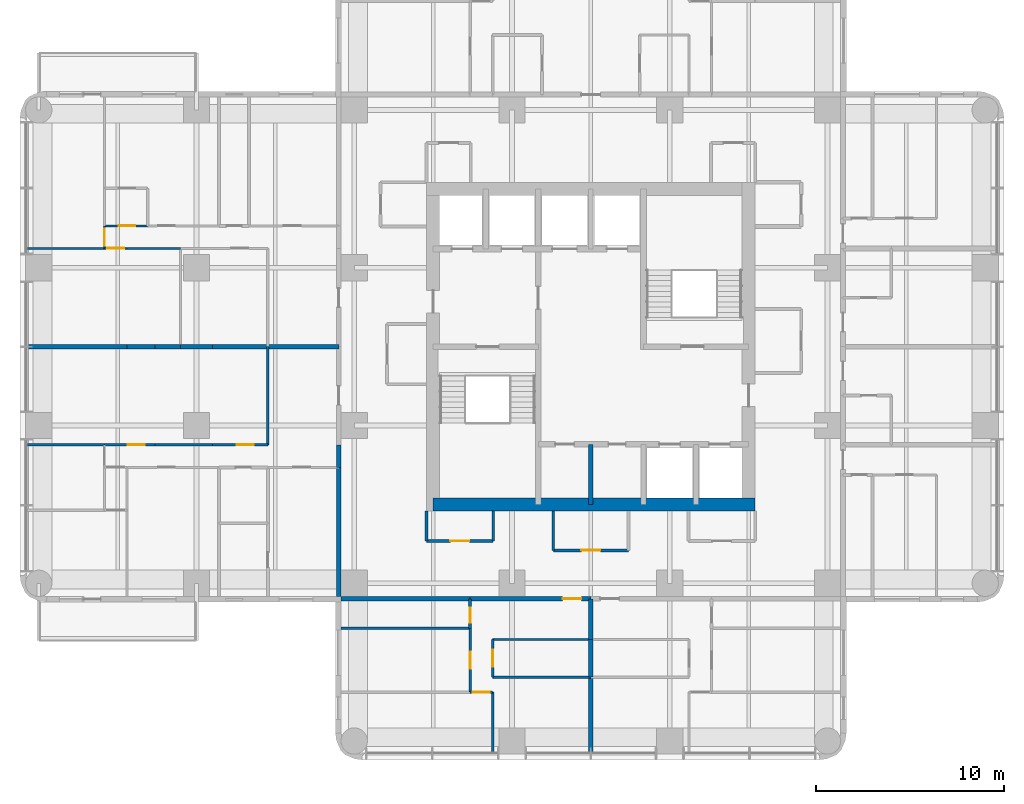
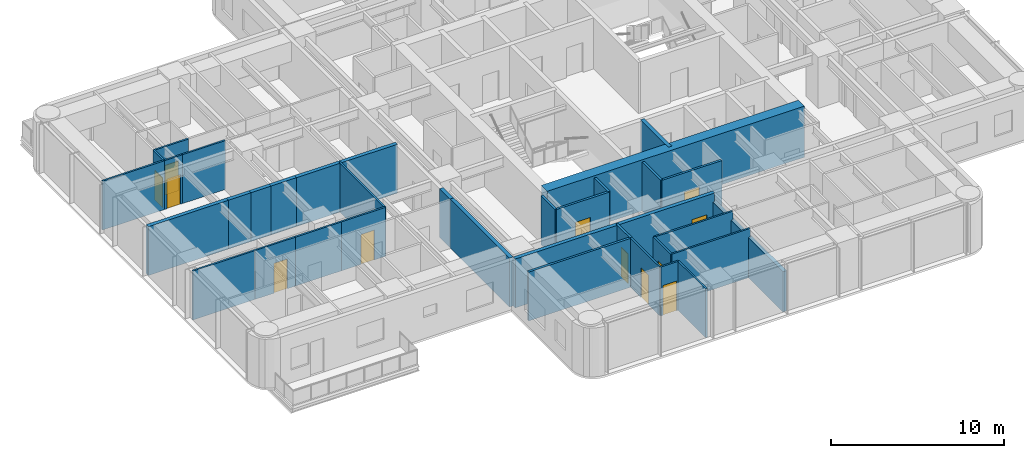
# One storey, part 5 of 11: 38 walls, 12 doors, 12 openings.
"""IFC4 building model written with IfcOpenShell, lengths in metres."""

from ifc_helpers import new_model, si_unit, direction, frame, frame_2d, origin, place, context, subcontext, project, spatial, rectangle, extrude, material, layer, layer_set, type_object, element, fill, save


model = new_model("IFC4")

# Units and contexts
model_context = context("Model", 3, precision=1e-05, world=origin(), true_north=direction((0.0, 1.0)))
body_context = subcontext(model_context, "Body", "Model", "MODEL_VIEW")
ifc_project = project(units=[si_unit("LENGTHUNIT", "METRE"), si_unit("AREAUNIT", "SQUARE_METRE"), si_unit("VOLUMEUNIT", "CUBIC_METRE"), si_unit("PLANEANGLEUNIT", "RADIAN"), si_unit("MASSUNIT", "GRAM", prefix="KILO")], contexts=[model_context])

# Site, building, storey
site_placement = place(None, origin())
site = spatial("IfcSite", under=ifc_project, at=site_placement, CompositionType="ELEMENT")
building_placement = place(site_placement, origin())
building = spatial("IfcBuilding", under=site, at=building_placement, Name="Torre Alcanfor", CompositionType="ELEMENT")
storey_placement = place(building_placement, frame((0.0, 0.0, 230.10009765625)))
storey = spatial("IfcBuildingStorey", under=building, at=storey_placement, Name="L60", CompositionType="ELEMENT", Elevation=230.10009765625)

# Wall, opening, door
ifc_material_1 = material(Name="Concrete block masonry, hollow blocks NMX-C-404 9 MPa", Category="masonry")
ifc_layer_1 = layer(ifc_material_1, 0.25)
ifc_layer_set_1 = layer_set([ifc_layer_1], Name="Apartment entrance wall 250 EI 60")
wall_type_1 = type_object("IfcWallType", Name="Apartment entrance wall 250 EI 60", PredefinedType="PARTITIONING", material=ifc_layer_set_1)
wall_1_placement = place(storey_placement, frame((29.39990234375, 15.97509765625, 0.0), z_axis=(0.0, 0.0, 1.0), x_axis=(-1.0, 0.0, 0.0)))
wall_1 = element("IfcWall", 1, at=wall_1_placement, inside=storey, type_object=wall_type_1, Name="Partition L60-CORR / L60-S2-LIVING", PredefinedType="PARTITIONING", context=body_context, shape_type="SweptSolid", body=[
    extrude(rectangle(XDim=6.428955078125, YDim=0.25, at=frame_2d((3.21435546875, 0.0))), origin(), (0.0, 0.0, 1.0), 3.449951171875),
])
opening_1_placement = place(wall_1_placement, frame((0.5, 0.0, 0.0)))
opening_1 = element("IfcOpeningElement", 2, at=opening_1_placement, cuts=wall_1, Name="Opening D-A1", PredefinedType="OPENING", context=body_context, shape_type="SweptSolid", body=[
    extrude(rectangle(XDim=1.0, YDim=2.10009765625, at=frame_2d((0.5, 1.050048828125))), frame((0.0, 0.135009765625, 0.0), z_axis=(0.0, -1.0, 0.0), x_axis=(1.0, 0.0, 0.0)), (0.0, 0.0, 1.0), 0.27001953125),
])
ifc_material_2 = material(Name="Galvanised steel sheet ASTM A653", Category="steel")
door_type_1 = type_object("IfcDoorType", Name="Apartment entrance door FD60 1000x2100", OperationType="SINGLE_SWING_LEFT", PredefinedType="DOOR", material=ifc_material_2)
door_1_placement = place(opening_1_placement, origin())
door_1 = element("IfcDoor", 3, at=door_1_placement, inside=storey, type_object=door_type_1, Name="Apartment entrance L60-S2", OperationType="SINGLE_SWING_LEFT", OverallHeight=2.10009765625, OverallWidth=1.0, PredefinedType="DOOR", context=body_context, shape_type="SweptSolid", body=[
    extrude(rectangle(XDim=1.0, YDim=2.10009765625, at=frame_2d((0.5, 1.050048828125))), frame((0.0, 0.02490234375, 0.0), z_axis=(0.0, -1.0, 0.0), x_axis=(1.0, 0.0, 0.0)), (0.0, 0.0, 1.0), 0.050048828125),
])
fill(opening_1, door_1)

# Walls
wall_2_placement = place(storey_placement, frame((22.970947265625, 15.97509765625, 0.0), z_axis=(0.0, 0.0, 1.0), x_axis=(-1.0, 0.0, 0.0)))
element("IfcWall", 4, at=wall_2_placement, inside=storey, type_object=wall_type_1, Name="Partition L60-CORR / L60-S2-BATH", PredefinedType="PARTITIONING", context=body_context, shape_type="SweptSolid", body=[
    extrude(rectangle(XDim=6.870849609375, YDim=0.25, at=frame_2d((3.435546875, 0.0))), origin(), (0.0, 0.0, 1.0), 3.449951171875),
])
wall_3_placement = place(storey_placement, frame((15.97509765625, 22.970947265625, 0.0), z_axis=(0.0, 0.0, 1.0), x_axis=(0.0, 1.0, 0.0)))
element("IfcWall", 5, at=wall_3_placement, inside=storey, type_object=wall_type_1, Name="Partition L60-CORR / L60-W1-HALL", PredefinedType="PARTITIONING", context=body_context, shape_type="SweptSolid", body=[
    extrude(rectangle(XDim=1.199951171875, YDim=0.25, at=frame_2d((0.60009765625, 0.0))), origin(), (0.0, 0.0, 1.0), 3.449951171875),
])
wall_4_placement = place(storey_placement, frame((15.97509765625, 16.10009765625, 0.0), z_axis=(0.0, 0.0, 1.0), x_axis=(0.0, 1.0, 0.0)))
element("IfcWall", 6, at=wall_4_placement, inside=storey, type_object=wall_type_1, Name="Partition L60-CORR / L60-W1-SERV", PredefinedType="PARTITIONING", context=body_context, shape_type="SweptSolid", body=[
    extrude(rectangle(XDim=6.870849609375, YDim=0.25, at=frame_2d((3.435546875, 0.0))), origin(), (0.0, 0.0, 1.0), 3.449951171875),
])
ifc_material_3 = material(Name="Gypsum board on steel studs", Category="steel")
ifc_layer_2 = layer(ifc_material_3, 0.1201171875)
ifc_layer_set_2 = layer_set([ifc_layer_2], Name="Apartment partition 120")
wall_type_2 = type_object("IfcWallType", Name="Apartment partition 120", PredefinedType="PARTITIONING", material=ifc_layer_set_2)
wall_5_placement = place(storey_placement, frame((29.39990234375, 11.800048828125, 0.0), z_axis=(0.0, 0.0, 1.0), x_axis=(-1.0, 0.0, 0.0)))
element("IfcWall", 7, at=wall_5_placement, inside=storey, type_object=wall_type_2, Name="Partition L60-S2-KITCHEN / L60-S2-LIVING", PredefinedType="PARTITIONING", context=body_context, shape_type="SweptSolid", body=[
    extrude(rectangle(XDim=5.22900390625, YDim=0.1201171875, at=frame_2d((2.614501953125, 0.0))), origin(), (0.0, 0.0, 1.0), 3.449951171875),
])

# Wall, opening, door
wall_6_placement = place(storey_placement, frame((24.1708984375, 11.800048828125, 0.0), z_axis=(0.0, 0.0, 1.0), x_axis=(0.0, 1.0, 0.0)))
wall_6 = element("IfcWall", 8, at=wall_6_placement, inside=storey, type_object=wall_type_2, Name="Partition L60-S2-KITCHEN / L60-S2-LIVING", PredefinedType="PARTITIONING", context=body_context, shape_type="SweptSolid", body=[
    extrude(rectangle(XDim=2.0, YDim=0.1201171875, at=frame_2d((1.0, 0.0))), origin(), (0.0, 0.0, 1.0), 3.449951171875),
])
opening_2_placement = place(wall_6_placement, frame((0.550048828125, 0.0, 0.0)))
opening_2 = element("IfcOpeningElement", 9, at=opening_2_placement, cuts=wall_6, Name="Opening D-R1", PredefinedType="OPENING", context=body_context, shape_type="SweptSolid", body=[
    extrude(rectangle(XDim=0.89990234375, YDim=2.10009765625, at=frame_2d((0.449951171875, 1.050048828125))), frame((0.0, 0.070068359375, 0.0), z_axis=(0.0, -1.0, 0.0), x_axis=(1.0, 0.0, 0.0)), (0.0, 0.0, 1.0), 0.14013671875),
])
ifc_material_4 = material(Name="Timber", Category="wood")
door_type_2 = type_object("IfcDoorType", Name="Internal door 900x2100", OperationType="SINGLE_SWING_LEFT", PredefinedType="DOOR", material=ifc_material_4)
door_2_placement = place(opening_2_placement, frame((0.89990234375, 0.0, 0.0), z_axis=(0.0, 0.0, 1.0), x_axis=(-1.0, 0.0, 0.0)))
door_2 = element("IfcDoor", 10, at=door_2_placement, inside=storey, type_object=door_type_2, Name="Door L60-S2 kitchen", OperationType="SINGLE_SWING_RIGHT", OverallHeight=2.10009765625, OverallWidth=0.89990234375, PredefinedType="DOOR", context=body_context, shape_type="SweptSolid", body=[
    extrude(rectangle(XDim=0.89990234375, YDim=2.10009765625, at=frame_2d((0.449951171875, 1.050048828125))), frame((0.0, 0.025146484375, 0.0), z_axis=(0.0, -1.0, 0.0), x_axis=(1.0, 0.0, 0.0)), (0.0, 0.0, 1.0), 0.050048828125),
])
fill(opening_2, door_2)

# Wall
wall_7_placement = place(storey_placement, frame((24.1708984375, 13.800048828125, 0.0), z_axis=(0.0, 0.0, 1.0), x_axis=(1.0, 0.0, 0.0)))
element("IfcWall", 11, at=wall_7_placement, inside=storey, type_object=wall_type_2, Name="Partition L60-S2-KITCHEN / L60-S2-LIVING", PredefinedType="PARTITIONING", context=body_context, shape_type="SweptSolid", body=[
    extrude(rectangle(XDim=5.22900390625, YDim=0.1201171875, at=frame_2d((2.614501953125, 0.0))), origin(), (0.0, 0.0, 1.0), 3.449951171875),
])

# Wall, opening, door
wall_8_placement = place(storey_placement, frame((22.970947265625, 11.0, 0.0), z_axis=(0.0, 0.0, 1.0), x_axis=(0.0, 1.0, 0.0)))
wall_8 = element("IfcWall", 12, at=wall_8_placement, inside=storey, type_object=wall_type_2, Name="Partition L60-S2-LIVING / L60-S2-STUDY", PredefinedType="PARTITIONING", context=body_context, shape_type="SweptSolid", body=[
    extrude(rectangle(XDim=3.39990234375, YDim=0.1201171875, at=frame_2d((1.699951171875, 0.0))), origin(), (0.0, 0.0, 1.0), 3.449951171875),
])
opening_3_placement = place(wall_8_placement, frame((1.25, 0.0, 0.0)))
opening_3 = element("IfcOpeningElement", 13, at=opening_3_placement, cuts=wall_8, Name="Opening D-R1", PredefinedType="OPENING", context=body_context, shape_type="SweptSolid", body=[
    extrude(rectangle(XDim=0.89990234375, YDim=2.10009765625, at=frame_2d((0.449951171875, 1.050048828125))), frame((0.0, 0.070068359375, 0.0), z_axis=(0.0, -1.0, 0.0), x_axis=(1.0, 0.0, 0.0)), (0.0, 0.0, 1.0), 0.14013671875),
])
door_3_placement = place(opening_3_placement, origin())
door_3 = element("IfcDoor", 14, at=door_3_placement, inside=storey, type_object=door_type_2, Name="Door L60-S2 study", OperationType="SINGLE_SWING_LEFT", OverallHeight=2.10009765625, OverallWidth=0.89990234375, PredefinedType="DOOR", context=body_context, shape_type="SweptSolid", body=[
    extrude(rectangle(XDim=0.89990234375, YDim=2.10009765625, at=frame_2d((0.449951171875, 1.050048828125))), frame((0.0, 0.02490234375, 0.0), z_axis=(0.0, -1.0, 0.0), x_axis=(1.0, 0.0, 0.0)), (0.0, 0.0, 1.0), 0.050048828125),
])
fill(opening_3, door_3)

# Wall
wall_9_placement = place(storey_placement, frame((24.1708984375, 7.75, 0.0), z_axis=(0.0, 0.0, 1.0), x_axis=(0.0, 1.0, 0.0)))
element("IfcWall", 15, at=wall_9_placement, inside=storey, type_object=wall_type_2, Name="Partition L60-S2-LIVING / L60-S2-MASTER", PredefinedType="PARTITIONING", context=body_context, shape_type="SweptSolid", body=[
    extrude(rectangle(XDim=3.25, YDim=0.1201171875, at=frame_2d((1.625, 0.0))), origin(), (0.0, 0.0, 1.0), 3.449951171875),
])

# Wall, opening, door
wall_10_placement = place(storey_placement, frame((24.1708984375, 11.0, 0.0), z_axis=(0.0, 0.0, 1.0), x_axis=(-1.0, 0.0, 0.0)))
wall_10 = element("IfcWall", 16, at=wall_10_placement, inside=storey, type_object=wall_type_2, Name="Partition L60-S2-LIVING / L60-S2-MASTER", PredefinedType="PARTITIONING", context=body_context, shape_type="SweptSolid", body=[
    extrude(rectangle(XDim=1.199951171875, YDim=0.1201171875, at=frame_2d((0.60009765625, 0.0))), origin(), (0.0, 0.0, 1.0), 3.449951171875),
])
opening_4_placement = place(wall_10_placement, frame((0.15087890625, 0.0, 0.0)))
opening_4 = element("IfcOpeningElement", 17, at=opening_4_placement, cuts=wall_10, Name="Opening D-R1", PredefinedType="OPENING", context=body_context, shape_type="SweptSolid", body=[
    extrude(rectangle(XDim=0.89990234375, YDim=2.10009765625, at=frame_2d((0.449951171875, 1.050048828125))), frame((0.0, 0.070068359375, 0.0), z_axis=(0.0, -1.0, 0.0), x_axis=(1.0, 0.0, 0.0)), (0.0, 0.0, 1.0), 0.14013671875),
])
door_4_placement = place(opening_4_placement, origin())
door_4 = element("IfcDoor", 18, at=door_4_placement, inside=storey, type_object=door_type_2, Name="Door L60-S2 master", OperationType="SINGLE_SWING_LEFT", OverallHeight=2.10009765625, OverallWidth=0.89990234375, PredefinedType="DOOR", context=body_context, shape_type="SweptSolid", body=[
    extrude(rectangle(XDim=0.89990234375, YDim=2.10009765625, at=frame_2d((0.449951171875, 1.050048828125))), frame((0.0, 0.02490234375, 0.0), z_axis=(0.0, -1.0, 0.0), x_axis=(1.0, 0.0, 0.0)), (0.0, 0.0, 1.0), 0.050048828125),
])
fill(opening_4, door_4)

# Wall
wall_11_placement = place(storey_placement, frame((12.199951171875, 29.39990234375, 0.0), z_axis=(0.0, 0.0, 1.0), x_axis=(0.0, -1.0, 0.0)))
element("IfcWall", 19, at=wall_11_placement, inside=storey, type_object=wall_type_2, Name="Partition L60-W1-ZAG / L60-W1-LAUND", PredefinedType="PARTITIONING", context=body_context, shape_type="SweptSolid", body=[
    extrude(rectangle(XDim=5.22900390625, YDim=0.1201171875, at=frame_2d((2.614501953125, 0.0))), origin(), (0.0, 0.0, 1.0), 3.449951171875),
])

# Wall, opening, door
wall_12_placement = place(storey_placement, frame((9.25, 24.1708984375, 0.0), z_axis=(0.0, 0.0, 1.0), x_axis=(1.0, 0.0, 0.0)))
wall_12 = element("IfcWall", 20, at=wall_12_placement, inside=storey, type_object=wall_type_2, Name="Partition L60-W1-LAUND / L60-W1-HALL", PredefinedType="PARTITIONING", context=body_context, shape_type="SweptSolid", body=[
    extrude(rectangle(XDim=2.949951171875, YDim=0.1201171875, at=frame_2d((1.47509765625, 0.0))), origin(), (0.0, 0.0, 1.0), 3.449951171875),
])
opening_5_placement = place(wall_12_placement, frame((1.300048828125, 0.0, 0.0)))
opening_5 = element("IfcOpeningElement", 21, at=opening_5_placement, cuts=wall_12, Name="Opening D-R1", PredefinedType="OPENING", context=body_context, shape_type="SweptSolid", body=[
    extrude(rectangle(XDim=0.89990234375, YDim=2.10009765625, at=frame_2d((0.449951171875, 1.050048828125))), frame((0.0, 0.070068359375, 0.0), z_axis=(0.0, -1.0, 0.0), x_axis=(1.0, 0.0, 0.0)), (0.0, 0.0, 1.0), 0.14013671875),
])
door_5_placement = place(opening_5_placement, origin())
door_5 = element("IfcDoor", 22, at=door_5_placement, inside=storey, type_object=door_type_2, Name="Door L60-W1 laund", OperationType="SINGLE_SWING_RIGHT", OverallHeight=2.10009765625, OverallWidth=0.89990234375, PredefinedType="DOOR", context=body_context, shape_type="SweptSolid", body=[
    extrude(rectangle(XDim=0.89990234375, YDim=2.10009765625, at=frame_2d((0.449951171875, 1.050048828125))), frame((0.0, 0.02490234375, 0.0), z_axis=(0.0, -1.0, 0.0), x_axis=(1.0, 0.0, 0.0)), (0.0, 0.0, 1.0), 0.050048828125),
])
fill(opening_5, door_5)

# Wall
wall_13_placement = place(storey_placement, frame((6.199951171875, 24.1708984375, 0.0), z_axis=(0.0, 0.0, 1.0), x_axis=(1.0, 0.0, 0.0)))
element("IfcWall", 23, at=wall_13_placement, inside=storey, type_object=wall_type_2, Name="Partition L60-W1-KITCHEN / L60-W1-HALL", PredefinedType="PARTITIONING", context=body_context, shape_type="SweptSolid", body=[
    extrude(rectangle(XDim=3.050048828125, YDim=0.1201171875, at=frame_2d((1.52490234375, 0.0))), origin(), (0.0, 0.0, 1.0), 3.449951171875),
])

# Wall, opening, door
wall_14_placement = place(storey_placement, frame((3.5, 24.1708984375, 0.0), z_axis=(0.0, 0.0, 1.0), x_axis=(1.0, 0.0, 0.0)))
wall_14 = element("IfcWall", 24, at=wall_14_placement, inside=storey, type_object=wall_type_2, Name="Partition L60-W1-LIVING / L60-W1-HALL", PredefinedType="PARTITIONING", context=body_context, shape_type="SweptSolid", body=[
    extrude(rectangle(XDim=2.699951171875, YDim=0.1201171875, at=frame_2d((1.35009765625, 0.0))), origin(), (0.0, 0.0, 1.0), 3.449951171875),
])
opening_6_placement = place(wall_14_placement, frame((1.25, 0.0, 0.0)))
opening_6 = element("IfcOpeningElement", 25, at=opening_6_placement, cuts=wall_14, Name="Opening D-R1", PredefinedType="OPENING", context=body_context, shape_type="SweptSolid", body=[
    extrude(rectangle(XDim=0.89990234375, YDim=2.10009765625, at=frame_2d((0.449951171875, 1.050048828125))), frame((0.0, 0.070068359375, 0.0), z_axis=(0.0, -1.0, 0.0), x_axis=(1.0, 0.0, 0.0)), (0.0, 0.0, 1.0), 0.14013671875),
])
door_6_placement = place(opening_6_placement, origin())
door_6 = element("IfcDoor", 26, at=door_6_placement, inside=storey, type_object=door_type_2, Name="Door L60-W1 living", OperationType="SINGLE_SWING_RIGHT", OverallHeight=2.10009765625, OverallWidth=0.89990234375, PredefinedType="DOOR", context=body_context, shape_type="SweptSolid", body=[
    extrude(rectangle(XDim=0.89990234375, YDim=2.10009765625, at=frame_2d((0.449951171875, 1.050048828125))), frame((0.0, 0.02490234375, 0.0), z_axis=(0.0, -1.0, 0.0), x_axis=(1.0, 0.0, 0.0)), (0.0, 0.0, 1.0), 0.050048828125),
])
fill(opening_6, door_6)

# Walls
wall_15_placement = place(storey_placement, frame((-0.64990234375, 24.1708984375, 0.0), z_axis=(0.0, 0.0, 1.0), x_axis=(1.0, 0.0, 0.0)))
element("IfcWall", 27, at=wall_15_placement, inside=storey, type_object=wall_type_2, Name="Partition L60-W1-LIVING / L60-W1-BED2", PredefinedType="PARTITIONING", context=body_context, shape_type="SweptSolid", body=[
    extrude(rectangle(XDim=4.14990234375, YDim=0.1201171875, at=frame_2d((2.074951171875, 0.0))), origin(), (0.0, 0.0, 1.0), 3.449951171875),
])
wall_16_placement = place(storey_placement, frame((4.699951171875, 34.62890625, 0.0), z_axis=(0.0, 0.0, 1.0), x_axis=(1.0, 0.0, 0.0)))
element("IfcWall", 28, at=wall_16_placement, inside=storey, type_object=wall_type_2, Name="Partition L60-W2-KITCHEN / L60-W2-HALL", PredefinedType="PARTITIONING", context=body_context, shape_type="SweptSolid", body=[
    extrude(rectangle(XDim=2.85009765625, YDim=0.1201171875, at=frame_2d((1.425048828125, 0.0))), origin(), (0.0, 0.0, 1.0), 3.449951171875),
])

# Wall, opening, door
wall_17_placement = place(storey_placement, frame((3.5, 34.62890625, 0.0), z_axis=(0.0, 0.0, 1.0), x_axis=(1.0, 0.0, 0.0)))
wall_17 = element("IfcWall", 29, at=wall_17_placement, inside=storey, type_object=wall_type_2, Name="Partition L60-W2-LIVING / L60-W2-HALL", PredefinedType="PARTITIONING", context=body_context, shape_type="SweptSolid", body=[
    extrude(rectangle(XDim=1.199951171875, YDim=0.1201171875, at=frame_2d((0.60009765625, 0.0))), origin(), (0.0, 0.0, 1.0), 3.449951171875),
])
opening_7_placement = place(wall_17_placement, frame((0.14990234375, 0.0, 0.0)))
opening_7 = element("IfcOpeningElement", 30, at=opening_7_placement, cuts=wall_17, Name="Opening D-R1", PredefinedType="OPENING", context=body_context, shape_type="SweptSolid", body=[
    extrude(rectangle(XDim=0.89990234375, YDim=2.10009765625, at=frame_2d((0.449951171875, 1.050048828125))), frame((0.0, 0.070068359375, 0.0), z_axis=(0.0, -1.0, 0.0), x_axis=(1.0, 0.0, 0.0)), (0.0, 0.0, 1.0), 0.14013671875),
])
door_7_placement = place(opening_7_placement, frame((0.89990234375, 0.0, 0.0), z_axis=(0.0, 0.0, 1.0), x_axis=(-1.0, 0.0, 0.0)))
door_7 = element("IfcDoor", 31, at=door_7_placement, inside=storey, type_object=door_type_2, Name="Door L60-W2 living", OperationType="SINGLE_SWING_LEFT", OverallHeight=2.10009765625, OverallWidth=0.89990234375, PredefinedType="DOOR", context=body_context, shape_type="SweptSolid", body=[
    extrude(rectangle(XDim=0.89990234375, YDim=2.10009765625, at=frame_2d((0.449951171875, 1.050048828125))), frame((0.0, 0.025146484375, 0.0), z_axis=(0.0, -1.0, 0.0), x_axis=(1.0, 0.0, 0.0)), (0.0, 0.0, 1.0), 0.050048828125),
])
fill(opening_7, door_7)

# Wall
wall_18_placement = place(storey_placement, frame((-0.64990234375, 34.62890625, 0.0), z_axis=(0.0, 0.0, 1.0), x_axis=(1.0, 0.0, 0.0)))
element("IfcWall", 32, at=wall_18_placement, inside=storey, type_object=wall_type_2, Name="Partition L60-W2-LIVING / L60-W2-WGARD", PredefinedType="PARTITIONING", context=body_context, shape_type="SweptSolid", body=[
    extrude(rectangle(XDim=4.14990234375, YDim=0.1201171875, at=frame_2d((2.074951171875, 0.0))), origin(), (0.0, 0.0, 1.0), 3.449951171875),
])

# Wall, opening, door
wall_19_placement = place(storey_placement, frame((3.5, 35.8291015625, 0.0), z_axis=(0.0, 0.0, 1.0), x_axis=(1.0, 0.0, 0.0)))
wall_19 = element("IfcWall", 33, at=wall_19_placement, inside=storey, type_object=wall_type_2, Name="Partition L60-W2-HALL / L60-W2-VEST", PredefinedType="PARTITIONING", context=body_context, shape_type="SweptSolid", body=[
    extrude(rectangle(XDim=2.300048828125, YDim=0.1201171875, at=frame_2d((1.14990234375, 0.0))), origin(), (0.0, 0.0, 1.0), 3.449951171875),
])
opening_8_placement = place(wall_19_placement, frame((0.75, 0.0, 0.0)))
opening_8 = element("IfcOpeningElement", 34, at=opening_8_placement, cuts=wall_19, Name="Opening D-R1", PredefinedType="OPENING", context=body_context, shape_type="SweptSolid", body=[
    extrude(rectangle(XDim=0.89990234375, YDim=2.10009765625, at=frame_2d((0.449951171875, 1.050048828125))), frame((0.0, 0.070068359375, 0.0), z_axis=(0.0, -1.0, 0.0), x_axis=(1.0, 0.0, 0.0)), (0.0, 0.0, 1.0), 0.14013671875),
])
door_8_placement = place(opening_8_placement, origin())
door_8 = element("IfcDoor", 35, at=door_8_placement, inside=storey, type_object=door_type_2, Name="Door L60-W2 vest", OperationType="SINGLE_SWING_RIGHT", OverallHeight=2.10009765625, OverallWidth=0.89990234375, PredefinedType="DOOR", context=body_context, shape_type="SweptSolid", body=[
    extrude(rectangle(XDim=0.89990234375, YDim=2.10009765625, at=frame_2d((0.449951171875, 1.050048828125))), frame((0.0, 0.02490234375, 0.0), z_axis=(0.0, -1.0, 0.0), x_axis=(1.0, 0.0, 0.0)), (0.0, 0.0, 1.0), 0.050048828125),
])
fill(opening_8, door_8)

wall_20_placement = place(storey_placement, frame((3.5, 34.62890625, 0.0), z_axis=(0.0, 0.0, 1.0), x_axis=(0.0, 1.0, 0.0)))
wall_20 = element("IfcWall", 36, at=wall_20_placement, inside=storey, type_object=wall_type_2, Name="Partition L60-W2-HALL / L60-W2-WGARD", PredefinedType="PARTITIONING", context=body_context, shape_type="SweptSolid", body=[
    extrude(rectangle(XDim=1.2001953125, YDim=0.1201171875, at=frame_2d((0.60009765625, 0.0))), origin(), (0.0, 0.0, 1.0), 3.449951171875),
])
opening_9_placement = place(wall_20_placement, frame((0.15087890625, 0.0, 0.0)))
opening_9 = element("IfcOpeningElement", 37, at=opening_9_placement, cuts=wall_20, Name="Opening D-R1", PredefinedType="OPENING", context=body_context, shape_type="SweptSolid", body=[
    extrude(rectangle(XDim=0.89990234375, YDim=2.10009765625, at=frame_2d((0.449951171875, 1.050048828125))), frame((0.0, 0.070068359375, 0.0), z_axis=(0.0, -1.0, 0.0), x_axis=(1.0, 0.0, 0.0)), (0.0, 0.0, 1.0), 0.14013671875),
])
door_9_placement = place(opening_9_placement, origin())
door_9 = element("IfcDoor", 38, at=door_9_placement, inside=storey, type_object=door_type_2, Name="Door L60-W2 wgard", OperationType="SINGLE_SWING_LEFT", OverallHeight=2.10009765625, OverallWidth=0.89990234375, PredefinedType="DOOR", context=body_context, shape_type="SweptSolid", body=[
    extrude(rectangle(XDim=0.89990234375, YDim=2.10009765625, at=frame_2d((0.449951171875, 1.050048828125))), frame((0.0, 0.02490234375, 0.0), z_axis=(0.0, -1.0, 0.0), x_axis=(1.0, 0.0, 0.0)), (0.0, 0.0, 1.0), 0.050048828125),
])
fill(opening_9, door_9)

# Walls
ifc_material_5 = material(Name="Concrete f'c 70 MPa", Category="concrete")
ifc_layer_3 = layer(ifc_material_5, 0.25)
ifc_layer_set_3 = layer_set([ifc_layer_3], Name="Core shaft wall 250 f'c70")
wall_type_3 = type_object("IfcWallType", Name="Core shaft wall 250 f'c70", PredefinedType="SHEAR", material=ifc_layer_set_3)
wall_21_placement = place(storey_placement, frame((29.39990234375, 21.0, 0.0), z_axis=(0.0, 0.0, 1.0), x_axis=(0.0, 1.0, 0.0)))
element("IfcWall", 39, at=wall_21_placement, inside=storey, type_object=wall_type_3, Name="Core wall X294S L60", PredefinedType="SHEAR", context=body_context, shape_type="SweptSolid", body=[
    extrude(rectangle(XDim=3.199951171875, YDim=0.25, at=frame_2d((1.60009765625, 0.0))), origin(), (0.0, 0.0, 1.0), 3.599853515625),
])
ifc_material_6 = material(Name="Concrete f'c 70 MPa", Category="concrete")
ifc_layer_4 = layer(ifc_material_6, 0.699951171875)
ifc_layer_set_4 = layer_set([ifc_layer_4], Name="Core wall 700 f'c70")
wall_type_4 = type_object("IfcWallType", Name="Core wall 700 f'c70", PredefinedType="SHEAR", material=ifc_layer_set_4)
wall_22_placement = place(storey_placement, frame((21.0, 21.0, 0.0), z_axis=(0.0, 0.0, 1.0), x_axis=(1.0, 0.0, 0.0)))
element("IfcWall", 40, at=wall_22_placement, inside=storey, type_object=wall_type_4, Name="Core wall OUT-S L60", PredefinedType="SHEAR", context=body_context, shape_type="SweptSolid", body=[
    extrude(rectangle(XDim=17.14990234375, YDim=0.699951171875, at=frame_2d((8.574951171875, 0.0))), origin(), (0.0, 0.0, 1.0), 3.599853515625),
])
ifc_material_7 = material(Name="Concrete block masonry, hollow blocks NMX-C-404 9 MPa", Category="masonry")
ifc_layer_5 = layer(ifc_material_7, 0.25)
ifc_layer_set_5 = layer_set([ifc_layer_5], Name="Party wall 250 EI 60")
wall_type_5 = type_object("IfcWallType", Name="Party wall 250 EI 60", PredefinedType="PARTITIONING", material=ifc_layer_set_5)
wall_23_placement = place(storey_placement, frame((29.39990234375, 13.800048828125, 0.0), z_axis=(0.0, 0.0, 1.0), x_axis=(0.0, -1.0, 0.0)))
element("IfcWall", 41, at=wall_23_placement, inside=storey, type_object=wall_type_5, Name="Partition L60-S1-KITCHEN / L60-S2-KITCHEN", PredefinedType="PARTITIONING", context=body_context, shape_type="SweptSolid", body=[
    extrude(rectangle(XDim=2.0, YDim=0.25, at=frame_2d((1.0, 0.0))), origin(), (0.0, 0.0, 1.0), 2.847900390625),
])
wall_24_placement = place(storey_placement, frame((29.39990234375, 7.75, 0.0), z_axis=(0.0, 0.0, 1.0), x_axis=(0.0, 1.0, 0.0)))
element("IfcWall", 42, at=wall_24_placement, inside=storey, type_object=wall_type_5, Name="Partition L60-S1-LIVING / L60-S2-LIVING", PredefinedType="PARTITIONING", context=body_context, shape_type="SweptSolid", body=[
    extrude(rectangle(XDim=4.050048828125, YDim=0.25, at=frame_2d((2.02490234375, 0.0))), origin(), (0.0, 0.0, 1.0), 2.847900390625),
])
wall_25_placement = place(storey_placement, frame((29.39990234375, 13.800048828125, 0.0), z_axis=(0.0, 0.0, 1.0), x_axis=(0.0, 1.0, 0.0)))
element("IfcWall", 43, at=wall_25_placement, inside=storey, type_object=wall_type_5, Name="Partition L60-S1-LIVING / L60-S2-LIVING", PredefinedType="PARTITIONING", context=body_context, shape_type="SweptSolid", body=[
    extrude(rectangle(XDim=2.175048828125, YDim=0.25, at=frame_2d((1.08740234375, 0.0))), origin(), (0.0, 0.0, 1.0), 2.847900390625),
])
wall_26_placement = place(storey_placement, frame((15.97509765625, 29.39990234375, 0.0), z_axis=(0.0, 0.0, 1.0), x_axis=(-1.0, 0.0, 0.0)))
element("IfcWall", 44, at=wall_26_placement, inside=storey, type_object=wall_type_5, Name="Partition L60-W1-ZAG / L60-W2-ZAG", PredefinedType="PARTITIONING", context=body_context, shape_type="SweptSolid", body=[
    extrude(rectangle(XDim=3.775146484375, YDim=0.25, at=frame_2d((1.8876953125, 0.0))), origin(), (0.0, 0.0, 1.0), 3.449951171875),
])
wall_27_placement = place(storey_placement, frame((12.199951171875, 29.39990234375, 0.0), z_axis=(0.0, 0.0, 1.0), x_axis=(-1.0, 0.0, 0.0)))
element("IfcWall", 45, at=wall_27_placement, inside=storey, type_object=wall_type_5, Name="Partition L60-W1-LAUND / L60-W2-FAMILY", PredefinedType="PARTITIONING", context=body_context, shape_type="SweptSolid", body=[
    extrude(rectangle(XDim=2.949951171875, YDim=0.25, at=frame_2d((1.47509765625, 0.0))), origin(), (0.0, 0.0, 1.0), 3.449951171875),
])
wall_28_placement = place(storey_placement, frame((9.25, 29.39990234375, 0.0), z_axis=(0.0, 0.0, 1.0), x_axis=(-1.0, 0.0, 0.0)))
element("IfcWall", 46, at=wall_28_placement, inside=storey, type_object=wall_type_5, Name="Partition L60-W1-KITCHEN / L60-W2-FAMILY", PredefinedType="PARTITIONING", context=body_context, shape_type="SweptSolid", body=[
    extrude(rectangle(XDim=1.699951171875, YDim=0.25, at=frame_2d((0.85009765625, 0.0))), origin(), (0.0, 0.0, 1.0), 3.449951171875),
])
wall_29_placement = place(storey_placement, frame((7.550048828125, 29.39990234375, 0.0), z_axis=(0.0, 0.0, 1.0), x_axis=(-1.0, 0.0, 0.0)))
element("IfcWall", 47, at=wall_29_placement, inside=storey, type_object=wall_type_5, Name="Partition L60-W1-KITCHEN / L60-W2-KITCHEN", PredefinedType="PARTITIONING", context=body_context, shape_type="SweptSolid", body=[
    extrude(rectangle(XDim=1.35009765625, YDim=0.25, at=frame_2d((0.675048828125, 0.0))), origin(), (0.0, 0.0, 1.0), 3.449951171875),
])
wall_30_placement = place(storey_placement, frame((6.199951171875, 29.39990234375, 0.0), z_axis=(0.0, 0.0, 1.0), x_axis=(-1.0, 0.0, 0.0)))
element("IfcWall", 48, at=wall_30_placement, inside=storey, type_object=wall_type_5, Name="Partition L60-W1-LIVING / L60-W2-KITCHEN", PredefinedType="PARTITIONING", context=body_context, shape_type="SweptSolid", body=[
    extrude(rectangle(XDim=1.5, YDim=0.25, at=frame_2d((0.75, 0.0))), origin(), (0.0, 0.0, 1.0), 3.449951171875),
])
wall_31_placement = place(storey_placement, frame((4.699951171875, 29.39990234375, 0.0), z_axis=(0.0, 0.0, 1.0), x_axis=(-1.0, 0.0, 0.0)))
element("IfcWall", 49, at=wall_31_placement, inside=storey, type_object=wall_type_5, Name="Partition L60-W1-LIVING / L60-W2-LIVING", PredefinedType="PARTITIONING", context=body_context, shape_type="SweptSolid", body=[
    extrude(rectangle(XDim=5.349853515625, YDim=0.25, at=frame_2d((2.6748046875, 0.0))), origin(), (0.0, 0.0, 1.0), 3.449951171875),
])
ifc_material_8 = material(Name="Concrete block masonry, hollow blocks NMX-C-404 9 MPa", Category="masonry")
ifc_layer_6 = layer(ifc_material_8, 0.14990234375)
ifc_layer_set_6 = layer_set([ifc_layer_6], Name="Residents' room partition 150")
wall_type_6 = type_object("IfcWallType", Name="Residents' room partition 150", PredefinedType="PARTITIONING", material=ifc_layer_set_6)
wall_32_placement = place(storey_placement, frame((20.64990234375, 20.64990234375, 0.0), z_axis=(0.0, 0.0, 1.0), x_axis=(0.0, -1.0, 0.0)))
element("IfcWall", 50, at=wall_32_placement, inside=storey, type_object=wall_type_6, Name="Partition L60-CORR / L60-G05", PredefinedType="PARTITIONING", context=body_context, shape_type="SweptSolid", body=[
    extrude(rectangle(XDim=1.599853515625, YDim=0.14990234375, at=frame_2d((0.7998046875, 0.0))), origin(), (0.0, 0.0, 1.0), 3.449951171875),
])

# Wall, opening, door
wall_33_placement = place(storey_placement, frame((20.64990234375, 19.050048828125, 0.0), z_axis=(0.0, 0.0, 1.0), x_axis=(1.0, 0.0, 0.0)))
wall_33 = element("IfcWall", 51, at=wall_33_placement, inside=storey, type_object=wall_type_6, Name="Partition L60-CORR / L60-G05", PredefinedType="PARTITIONING", context=body_context, shape_type="SweptSolid", body=[
    extrude(rectangle(XDim=3.550048828125, YDim=0.14990234375, at=frame_2d((1.77490234375, 0.0))), origin(), (0.0, 0.0, 1.0), 3.449951171875),
])
opening_10_placement = place(wall_33_placement, frame((1.27490234375, 0.0, 0.0)))
opening_10 = element("IfcOpeningElement", 52, at=opening_10_placement, cuts=wall_33, Name="Opening D-M1", PredefinedType="OPENING", context=body_context, shape_type="SweptSolid", body=[
    extrude(rectangle(XDim=1.0, YDim=2.10009765625, at=frame_2d((0.5, 1.050048828125))), frame((0.0, 0.0849609375, 0.0), z_axis=(0.0, -1.0, 0.0), x_axis=(1.0, 0.0, 0.0)), (0.0, 0.0, 1.0), 0.169921875),
])
ifc_material_9 = material(Name="Timber", Category="wood")
door_type_3 = type_object("IfcDoorType", Name="Residents' room door 1000x2100", OperationType="SINGLE_SWING_LEFT", PredefinedType="DOOR", material=ifc_material_9)
door_10_placement = place(opening_10_placement, origin())
door_10 = element("IfcDoor", 53, at=door_10_placement, inside=storey, type_object=door_type_3, Name="Door L60-G05 residents' lockers", OperationType="SINGLE_SWING_LEFT", OverallHeight=2.10009765625, OverallWidth=1.0, PredefinedType="DOOR", context=body_context, shape_type="SweptSolid", body=[
    extrude(rectangle(XDim=1.0, YDim=2.10009765625, at=frame_2d((0.5, 1.050048828125))), frame((0.0, 0.02490234375, 0.0), z_axis=(0.0, -1.0, 0.0), x_axis=(1.0, 0.0, 0.0)), (0.0, 0.0, 1.0), 0.050048828125),
])
fill(opening_10, door_10)

# Walls
wall_34_placement = place(storey_placement, frame((24.199951171875, 19.050048828125, 0.0), z_axis=(0.0, 0.0, 1.0), x_axis=(0.0, 1.0, 0.0)))
element("IfcWall", 54, at=wall_34_placement, inside=storey, type_object=wall_type_6, Name="Partition L60-CORR / L60-G05", PredefinedType="PARTITIONING", context=body_context, shape_type="SweptSolid", body=[
    extrude(rectangle(XDim=1.599853515625, YDim=0.14990234375, at=frame_2d((0.7998046875, 0.0))), origin(), (0.0, 0.0, 1.0), 3.449951171875),
])
wall_35_placement = place(storey_placement, frame((27.39990234375, 20.64990234375, 0.0), z_axis=(0.0, 0.0, 1.0), x_axis=(0.0, -1.0, 0.0)))
element("IfcWall", 55, at=wall_35_placement, inside=storey, type_object=wall_type_6, Name="Partition L60-CORR / L60-G06", PredefinedType="PARTITIONING", context=body_context, shape_type="SweptSolid", body=[
    extrude(rectangle(XDim=2.099853515625, YDim=0.14990234375, at=frame_2d((1.0498046875, 0.0))), origin(), (0.0, 0.0, 1.0), 3.449951171875),
])

# Wall, opening, door
wall_36_placement = place(storey_placement, frame((27.39990234375, 18.550048828125, 0.0), z_axis=(0.0, 0.0, 1.0), x_axis=(1.0, 0.0, 0.0)))
wall_36 = element("IfcWall", 56, at=wall_36_placement, inside=storey, type_object=wall_type_6, Name="Partition L60-CORR / L60-G06", PredefinedType="PARTITIONING", context=body_context, shape_type="SweptSolid", body=[
    extrude(rectangle(XDim=4.0, YDim=0.14990234375, at=frame_2d((2.0, 0.0))), origin(), (0.0, 0.0, 1.0), 3.449951171875),
])
opening_11_placement = place(wall_36_placement, frame((1.5, 0.0, 0.0)))
opening_11 = element("IfcOpeningElement", 57, at=opening_11_placement, cuts=wall_36, Name="Opening D-M1", PredefinedType="OPENING", context=body_context, shape_type="SweptSolid", body=[
    extrude(rectangle(XDim=1.0, YDim=2.10009765625, at=frame_2d((0.5, 1.050048828125))), frame((0.0, 0.0849609375, 0.0), z_axis=(0.0, -1.0, 0.0), x_axis=(1.0, 0.0, 0.0)), (0.0, 0.0, 1.0), 0.169921875),
])
door_11_placement = place(opening_11_placement, origin())
door_11 = element("IfcDoor", 58, at=door_11_placement, inside=storey, type_object=door_type_3, Name="Door L60-G06 residents' storage", OperationType="SINGLE_SWING_LEFT", OverallHeight=2.10009765625, OverallWidth=1.0, PredefinedType="DOOR", context=body_context, shape_type="SweptSolid", body=[
    extrude(rectangle(XDim=1.0, YDim=2.10009765625, at=frame_2d((0.5, 1.050048828125))), frame((0.0, 0.02490234375, 0.0), z_axis=(0.0, -1.0, 0.0), x_axis=(1.0, 0.0, 0.0)), (0.0, 0.0, 1.0), 0.050048828125),
])
fill(opening_11, door_11)

ifc_material_10 = material(Name="Cement board on steel studs", Category="steel")
ifc_layer_7 = layer(ifc_material_10, 0.14990234375)
ifc_layer_set_7 = layer_set([ifc_layer_7], Name="Wet area partition 150")
wall_type_7 = type_object("IfcWallType", Name="Wet area partition 150", PredefinedType="PARTITIONING", material=ifc_layer_set_7)
wall_37_placement = place(storey_placement, frame((22.970947265625, 14.39990234375, 0.0), z_axis=(0.0, 0.0, 1.0), x_axis=(0.0, 1.0, 0.0)))
wall_37 = element("IfcWall", 59, at=wall_37_placement, inside=storey, type_object=wall_type_7, Name="Partition L60-S2-LIVING / L60-S2-BATH", PredefinedType="PARTITIONING", context=body_context, shape_type="SweptSolid", body=[
    extrude(rectangle(XDim=1.5751953125, YDim=0.14990234375, at=frame_2d((0.78759765625, 0.0))), origin(), (0.0, 0.0, 1.0), 3.449951171875),
])
opening_12_placement = place(wall_37_placement, frame((0.300048828125, 0.0, 0.0)))
opening_12 = element("IfcOpeningElement", 60, at=opening_12_placement, cuts=wall_37, Name="Opening D-R2", PredefinedType="OPENING", context=body_context, shape_type="SweptSolid", body=[
    extrude(rectangle(XDim=0.800048828125, YDim=2.10009765625, at=frame_2d((0.39990234375, 1.050048828125))), frame((0.0, 0.0849609375, 0.0), z_axis=(0.0, -1.0, 0.0), x_axis=(1.0, 0.0, 0.0)), (0.0, 0.0, 1.0), 0.169921875),
])
ifc_material_11 = material(Name="Timber", Category="wood")
door_type_4 = type_object("IfcDoorType", Name="Bathroom door 800x2100", OperationType="SINGLE_SWING_LEFT", PredefinedType="DOOR", material=ifc_material_11)
door_12_placement = place(opening_12_placement, origin())
door_12 = element("IfcDoor", 61, at=door_12_placement, inside=storey, type_object=door_type_4, Name="Door L60-S2 bath", OperationType="SINGLE_SWING_LEFT", OverallHeight=2.10009765625, OverallWidth=0.800048828125, PredefinedType="DOOR", context=body_context, shape_type="SweptSolid", body=[
    extrude(rectangle(XDim=0.800048828125, YDim=2.10009765625, at=frame_2d((0.39990234375, 1.050048828125))), frame((0.0, 0.02490234375, 0.0), z_axis=(0.0, -1.0, 0.0), x_axis=(1.0, 0.0, 0.0)), (0.0, 0.0, 1.0), 0.050048828125),
])
fill(opening_12, door_12)

# Wall
wall_38_placement = place(storey_placement, frame((22.970947265625, 14.39990234375, 0.0), z_axis=(0.0, 0.0, 1.0), x_axis=(-1.0, 0.0, 0.0)))
element("IfcWall", 62, at=wall_38_placement, inside=storey, type_object=wall_type_7, Name="Partition L60-S2-BATH / L60-S2-STUDY", PredefinedType="PARTITIONING", context=body_context, shape_type="SweptSolid", body=[
    extrude(rectangle(XDim=6.870849609375, YDim=0.14990234375, at=frame_2d((3.435546875, 0.0))), origin(), (0.0, 0.0, 1.0), 3.449951171875),
])

save(model, "model.ifc")
